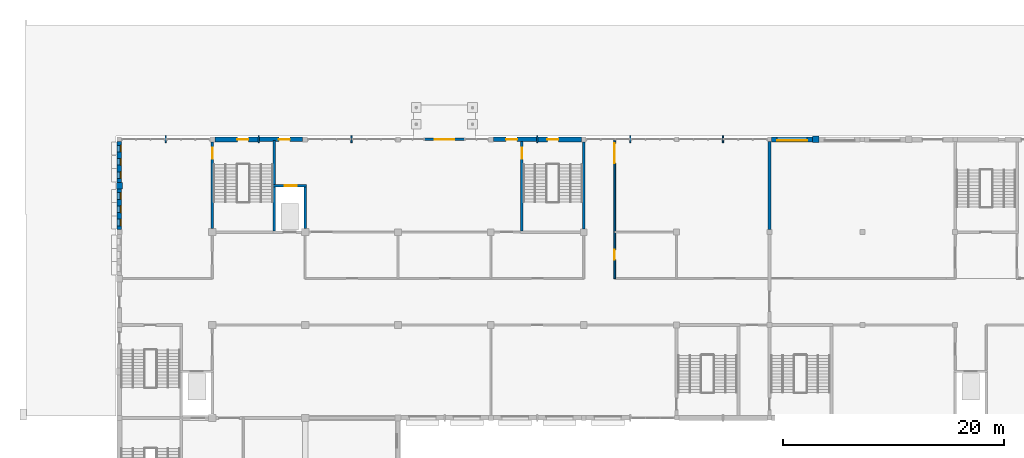
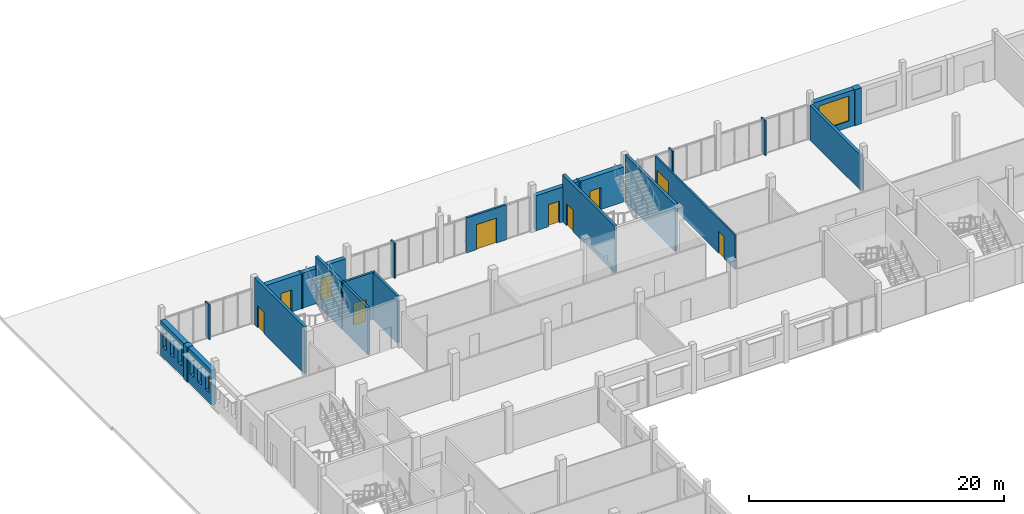
# One storey, part 89 of 101: 25 walls, 10 doors, 7 windows, 17 openings.
"""IFC4 building model written with IfcOpenShell, lengths in metres."""

import ifcopenshell
import ifcopenshell.guid

model = None  # the IFC model being written
_history = None  # IfcOwnerHistory: only IFC2X3 demands one
_inside = {}  # id of a spatial element -> (the spatial element, [elements in it])
_under = {}  # id of a project, library or spatial element -> (it, [spatial elements below it])
_declared = {}  # id of a project -> (the project, [libraries it declares])
_typed = {}  # id of a type object -> (the type object, [elements of that type])
_made_of = {}  # id of a material, layer set ... -> (it, [elements and type objects made of it])


def new_model(schema):
    """Start an empty IFC model of exactly this schema.

    Asked for "IFC4X3", IfcOpenShell would pick the latest addendum, in which some entities
    have other attributes; the version numbers below select the first issue.
    IFC2X3 requires an IfcOwnerHistory on every rooted entity: one is made here for all.
    """
    global model, _history
    if schema == "IFC4X3":
        model = ifcopenshell.file(schema_version=(4, 3, 0, 0))
    else:
        model = ifcopenshell.file(schema=schema)
    _inside.clear()
    _under.clear()
    _declared.clear()
    _typed.clear()
    _made_of.clear()
    _history = None
    if model.schema == "IFC2X3":
        org = make("IfcOrganization", Name="unknown")
        user = make(
            "IfcPersonAndOrganization",
            ThePerson=make("IfcPerson", FamilyName="unknown"),
            TheOrganization=org,
        )
        app = make(
            "IfcApplication",
            ApplicationDeveloper=org,
            Version="unknown",
            ApplicationFullName="unknown",
            ApplicationIdentifier="unknown",
        )
        _history = make(
            "IfcOwnerHistory",
            OwningUser=user,
            OwningApplication=app,
            ChangeAction="ADDED",
            CreationDate=0,
        )
    return model


def make(cls, **values):
    """One entity of the class cls with the attributes given. An attribute that is None is left unset."""
    return model.create_entity(
        cls, **{name: value for name, value in values.items() if value is not None}
    )


def rooted(cls, **values):
    """An entity with a GlobalId (a new one), such as an element, a storey or a relation."""
    return make(cls, GlobalId=ifcopenshell.guid.new(), OwnerHistory=_history, **values)


def si_unit(unit_type, name, prefix=None):
    """IfcSIUnit, for example si_unit("LENGTHUNIT", "METRE", prefix="MILLI")."""
    return make("IfcSIUnit", UnitType=unit_type, Prefix=prefix, Name=name)


def assignment(units):
    """IfcUnitAssignment: the units of a project."""
    return None if units is None else make("IfcUnitAssignment", Units=units)


def point(xyz):
    """IfcCartesianPoint."""
    return None if xyz is None else make("IfcCartesianPoint", Coordinates=xyz)


def direction(xyz):
    """IfcDirection."""
    return None if xyz is None else make("IfcDirection", DirectionRatios=xyz)


def frame(location, z_axis=None, x_axis=None):
    """IfcAxis2Placement3D, a coordinate frame: its origin and axes. An axis left out is left unset."""
    return make(
        "IfcAxis2Placement3D",
        Location=point(location),
        Axis=direction(z_axis),
        RefDirection=direction(x_axis),
    )


def frame_2d(location, x_axis=None):
    """IfcAxis2Placement2D, a coordinate frame in the plane: its origin and x axis."""
    return make(
        "IfcAxis2Placement2D", Location=point(location), RefDirection=direction(x_axis)
    )


def origin():
    """The frame at (0, 0, 0) with its axes left unset."""
    return frame((0.0, 0.0, 0.0))


def place(relative_to, where):
    """IfcLocalPlacement: puts the frame where relative to a parent placement (None: the world)."""
    return make(
        "IfcLocalPlacement", PlacementRelTo=relative_to, RelativePlacement=where
    )


def context(
    kind, dimensions, precision=None, world=None, true_north=None, identifier=None
):
    """IfcGeometricRepresentationContext, for example the 3D "Model" context."""
    return make(
        "IfcGeometricRepresentationContext",
        ContextIdentifier=identifier,
        ContextType=kind,
        CoordinateSpaceDimension=dimensions,
        Precision=precision,
        WorldCoordinateSystem=world,
        TrueNorth=true_north,
    )


def subcontext(parent, identifier, kind, view, scale=None):
    """IfcGeometricRepresentationSubContext, for example "Body" below "Model"."""
    return make(
        "IfcGeometricRepresentationSubContext",
        ContextIdentifier=identifier,
        ContextType=kind,
        ParentContext=parent,
        TargetScale=scale,
        TargetView=view,
    )


def project(units=None, contexts=None):
    """IfcProject with its units and contexts."""
    return rooted(
        "IfcProject",
        Name="project",
        RepresentationContexts=contexts,
        UnitsInContext=assignment(units),
    )


def spatial(cls, under=None, at=None, **own):
    """A site, building, storey or space (cls), placed at a placement, below another one or the project."""
    s = rooted(cls, ObjectPlacement=at, **own)
    if under is not None:
        _under.setdefault(under.id(), (under, []))[1].append(s)
    return s


def profile(cls, at=None, kind="AREA", **sizes):
    """A parametric profile (cls). Its sizes go by their IFC names, for example OverallWidth=200.0."""
    return make(cls, ProfileType=kind, Position=at, **sizes)


def rectangle(**sizes):
    """IfcRectangleProfileDef."""
    return profile("IfcRectangleProfileDef", **sizes)


def extrude(swept, where, along, depth):
    """IfcExtrudedAreaSolid: the profile swept, set in the frame where, extruded along a direction by depth."""
    return make(
        "IfcExtrudedAreaSolid",
        SweptArea=swept,
        Position=where,
        ExtrudedDirection=direction(along),
        Depth=depth,
    )


def shape(context_of_items, identifier, shape_type, items):
    """IfcShapeRepresentation: the items that make up one representation, for example the "Body"."""
    return make(
        "IfcShapeRepresentation",
        ContextOfItems=context_of_items,
        RepresentationIdentifier=identifier,
        RepresentationType=shape_type,
        Items=items,
    )


def material(Name=None, Category=None):
    """IfcMaterial."""
    return make("IfcMaterial", Name=Name, Category=Category)


def layer(
    of_material, thickness, ventilated=None, Name=None, Category=None, Priority=None
):
    """IfcMaterialLayer: one layer of a wall or slab, of a material (None: an air gap)."""
    return make(
        "IfcMaterialLayer",
        Material=of_material,
        LayerThickness=thickness,
        IsVentilated=ventilated,
        Name=Name,
        Category=Category,
        Priority=Priority,
    )


def layer_set(layers, Name=None):
    """IfcMaterialLayerSet."""
    return make("IfcMaterialLayerSet", MaterialLayers=layers, LayerSetName=Name)


def made_of(thing, what):
    """Note that an element or type object is made of a material, layer set ...; save() writes the relation."""
    if what is not None:
        _made_of.setdefault(what.id(), (what, []))[1].append(thing)
    return thing


def type_object(cls, material=None, **own):
    """A type object (cls), such as IfcWallType, which elements share."""
    return made_of(rooted(cls, **own), material)


def element(
    cls,
    number,
    at=None,
    inside=None,
    cuts=None,
    type_object=None,
    material=None,
    context=None,
    identifier="Body",
    shape_type=None,
    held_by="IfcProductDefinitionShape",
    body=None,
    shapes=None,
    **own,
):
    """One element of the class cls, such as IfcWall. Its Tag is "e" and its number.

    at: its placement. inside: the storey or other place that contains it. cuts: it is an
    opening in that element (IfcRelVoidsElement). A single representation is given by context,
    identifier, shape_type and body (its items); several are given by shapes. held_by: the class
    of the entity that holds the representations. save() writes the other relations.
    """
    e = rooted(cls, Tag="e%d" % number, ObjectPlacement=at, **own)
    if body is not None:
        shapes = [shape(context, identifier, shape_type, body)]
    if shapes is not None:
        e.Representation = make(held_by, Representations=shapes)
    if inside is not None:
        _inside.setdefault(inside.id(), (inside, []))[1].append(e)
    if cuts is not None:
        rooted(
            "IfcRelVoidsElement", RelatingBuildingElement=cuts, RelatedOpeningElement=e
        )
    if type_object is not None:
        _typed.setdefault(type_object.id(), (type_object, []))[1].append(e)
    return made_of(e, material)


def fill(opening, filler):
    """IfcRelFillsElement: the door or window that sits in an opening."""
    return rooted(
        "IfcRelFillsElement",
        RelatingOpeningElement=opening,
        RelatedBuildingElement=filler,
    )


def aggregate(whole, parts):
    """IfcRelAggregates: a whole, such as a stair, and the parts it consists of."""
    return rooted("IfcRelAggregates", RelatingObject=whole, RelatedObjects=parts)


def save(model, path):
    """Write the relations noted so far, then the file.

    IfcRelAggregates (storeys below a building ...), IfcRelContainedInSpatialStructure (elements
    in a storey), IfcRelDefinesByType, IfcRelAssociatesMaterial and IfcRelDeclares: one each for
    every whole, place, type object, material and project.
    """
    for whole, parts in _under.values():
        aggregate(whole, parts)
    for where, things in _inside.values():
        rooted(
            "IfcRelContainedInSpatialStructure",
            RelatedElements=things,
            RelatingStructure=where,
        )
    for kind, things in _typed.values():
        rooted("IfcRelDefinesByType", RelatedObjects=things, RelatingType=kind)
    for what, things in _made_of.values():
        rooted("IfcRelAssociatesMaterial", RelatedObjects=things, RelatingMaterial=what)
    for by, libraries in _declared.values():
        rooted("IfcRelDeclares", RelatingContext=by, RelatedDefinitions=libraries)
    model.write(path)


model = new_model("IFC4")

# Units and contexts
model_context = context("Model", 3, precision=1e-05, world=origin(), true_north=direction((0.0, 1.0)))
body_context = subcontext(model_context, "Body", "Model", "MODEL_VIEW")
ifc_project = project(units=[si_unit("LENGTHUNIT", "METRE"), si_unit("AREAUNIT", "SQUARE_METRE"), si_unit("VOLUMEUNIT", "CUBIC_METRE"), si_unit("PLANEANGLEUNIT", "RADIAN"), si_unit("MASSUNIT", "GRAM", prefix="KILO")], contexts=[model_context])

# Site, building, storey
site_placement = place(None, origin())
site = spatial("IfcSite", under=ifc_project, at=site_placement, CompositionType="ELEMENT")
building_placement = place(site_placement, origin())
building = spatial("IfcBuilding", under=site, at=building_placement, Name="Fescue Hill Polytechnic", CompositionType="ELEMENT")
storey_placement = place(building_placement, frame((0.0, 0.0, 9.0)))
storey = spatial("IfcBuildingStorey", under=building, at=storey_placement, Name="L02", CompositionType="ELEMENT", Elevation=9.0)

# Walls
ifc_material_1 = material(Name="Clay brick masonry", Category="masonry")
ifc_layer_1 = layer(ifc_material_1, 0.550048828125)
ifc_layer_set_1 = layer_set([ifc_layer_1], Name="Clay brick masonry")
wall_type_1 = type_object("IfcWallType", Name="Brick pier 600x550", PredefinedType="SOLIDWALL", material=ifc_layer_set_1)
wall_1_placement = place(storey_placement, frame((0.0, 130.512451171875, 0.0), z_axis=(0.0, 0.0, 1.0), x_axis=(0.0, -1.0, 0.0)))
element("IfcWall", 1, at=wall_1_placement, inside=storey, type_object=wall_type_1, Name="PR-L02-V5-7", PredefinedType="SOLIDWALL", context=body_context, shape_type="SweptSolid", body=[
    extrude(rectangle(XDim=0.599853515625, YDim=0.550048828125, at=frame_2d((0.2998046875, 0.0))), origin(), (0.0, 0.0, 1.0), 3.35009765625),
])
wall_2_placement = place(storey_placement, frame((63.300048828125, 134.39990234375, 0.0), z_axis=(0.0, 0.0, 1.0), x_axis=(-1.0, 0.0, 0.0)))
element("IfcWall", 2, at=wall_2_placement, inside=storey, type_object=wall_type_1, Name="PR-L02-V4b-10", PredefinedType="SOLIDWALL", context=body_context, shape_type="SweptSolid", body=[
    extrude(rectangle(XDim=0.60009765625, YDim=0.550048828125, at=frame_2d((0.300048828125, 0.0))), origin(), (0.0, 0.0, 1.0), 3.449951171875),
])

# Wall, opening, door
ifc_material_2 = material(Name="Concrete 40 MPa", Category="concrete")
ifc_layer_2 = layer(ifc_material_2, 0.25)
ifc_layer_set_2 = layer_set([ifc_layer_2], Name="Concrete 40 MPa")
wall_type_2 = type_object("IfcWallType", Name="Core wall 250", PredefinedType="SHEAR", material=ifc_layer_set_2)
wall_3_placement = place(storey_placement, frame((36.39990234375, 126.125, 0.0), z_axis=(0.0, 0.0, 1.0), x_axis=(0.0, 1.0, 0.0)))
wall_3 = element("IfcWall", 3, at=wall_3_placement, inside=storey, type_object=wall_type_2, Name="CW-L02-ST-V5-2-31", PredefinedType="SHEAR", context=body_context, shape_type="SweptSolid", body=[
    extrude(rectangle(XDim=8.14990234375, YDim=0.25, at=frame_2d((4.074951171875, 0.0))), origin(), (0.0, 0.0, 1.0), 4.5),
])
opening_1_placement = place(wall_3_placement, frame((6.52490234375, 0.0, 0.0)))
opening_1 = element("IfcOpeningElement", 4, at=opening_1_placement, cuts=wall_3, Name="Opening D2090", PredefinedType="OPENING", context=body_context, shape_type="SweptSolid", body=[
    extrude(rectangle(XDim=1.0, YDim=2.10009765625, at=frame_2d((0.5, 1.050048828125))), frame((0.0, 0.135009765625, 0.0), z_axis=(0.0, -1.0, 0.0), x_axis=(1.0, 0.0, 0.0)), (0.0, 0.0, 1.0), 0.27001953125),
])
ifc_material_3 = material(Name="Steel fire door", Category="steel")
door_type_1 = type_object("IfcDoorType", Name="Door single swing 1000x2100 stair fire rated", OperationType="NOTDEFINED", PredefinedType="DOOR", material=ifc_material_3)
door_1_placement = place(opening_1_placement, origin())
door_1 = element("IfcDoor", 5, at=door_1_placement, inside=storey, type_object=door_type_1, Name="L02 ST-V5-2 stair door", OperationType="SINGLE_SWING_LEFT", OverallHeight=2.10009765625, OverallWidth=1.0, PredefinedType="DOOR", context=body_context, shape_type="SweptSolid", body=[
    extrude(rectangle(XDim=1.0, YDim=2.10009765625, at=frame_2d((0.5, 1.050048828125))), frame((0.0, 0.02490234375, 0.0), z_axis=(0.0, -1.0, 0.0), x_axis=(1.0, 0.0, 0.0)), (0.0, 0.0, 1.0), 0.050048828125),
])
fill(opening_1, door_1)

# Wall
wall_4_placement = place(storey_placement, frame((42.0, 126.300048828125, 0.0), z_axis=(0.0, 0.0, 1.0), x_axis=(0.0, 1.0, 0.0)))
element("IfcWall", 6, at=wall_4_placement, inside=storey, type_object=wall_type_2, Name="CW-L02-ST-V5-2-41", PredefinedType="SHEAR", context=body_context, shape_type="SweptSolid", body=[
    extrude(rectangle(XDim=7.875, YDim=0.25, at=frame_2d((3.9375, 0.0))), origin(), (0.0, 0.0, 1.0), 4.5),
])

# Wall, opening, door
wall_5_placement = place(storey_placement, frame((8.39990234375, 126.324951171875, 0.0), z_axis=(0.0, 0.0, 1.0), x_axis=(0.0, 1.0, 0.0)))
wall_5 = element("IfcWall", 7, at=wall_5_placement, inside=storey, type_object=wall_type_2, Name="CW-L02-ST-V5-3-31", PredefinedType="SHEAR", context=body_context, shape_type="SweptSolid", body=[
    extrude(rectangle(XDim=7.85009765625, YDim=0.25, at=frame_2d((3.925048828125, 0.0))), origin(), (0.0, 0.0, 1.0), 4.5),
])
opening_2_placement = place(wall_5_placement, frame((6.324951171875, 0.0, 0.0)))
opening_2 = element("IfcOpeningElement", 8, at=opening_2_placement, cuts=wall_5, Name="Opening D2092", PredefinedType="OPENING", context=body_context, shape_type="SweptSolid", body=[
    extrude(rectangle(XDim=1.0, YDim=2.10009765625, at=frame_2d((0.5, 1.050048828125))), frame((0.0, 0.135009765625, 0.0), z_axis=(0.0, -1.0, 0.0), x_axis=(1.0, 0.0, 0.0)), (0.0, 0.0, 1.0), 0.27001953125),
])
door_2_placement = place(opening_2_placement, origin())
door_2 = element("IfcDoor", 9, at=door_2_placement, inside=storey, type_object=door_type_1, Name="L02 ST-V5-3 stair door", OperationType="SINGLE_SWING_RIGHT", OverallHeight=2.10009765625, OverallWidth=1.0, PredefinedType="DOOR", context=body_context, shape_type="SweptSolid", body=[
    extrude(rectangle(XDim=1.0, YDim=2.10009765625, at=frame_2d((0.5, 1.050048828125))), frame((0.0, 0.02490234375, 0.0), z_axis=(0.0, -1.0, 0.0), x_axis=(1.0, 0.0, 0.0)), (0.0, 0.0, 1.0), 0.050048828125),
])
fill(opening_2, door_2)

# Wall
wall_6_placement = place(storey_placement, frame((14.0, 130.2099609375, 0.0), z_axis=(0.0, 0.0, 1.0), x_axis=(0.0, 1.0, 0.0)))
element("IfcWall", 10, at=wall_6_placement, inside=storey, type_object=wall_type_2, Name="CW-L02-ST-V5-3-41", PredefinedType="SHEAR", context=body_context, shape_type="SweptSolid", body=[
    extrude(rectangle(XDim=4.06494140625, YDim=0.25, at=frame_2d((2.032470703125, 0.0))), origin(), (0.0, 0.0, 1.0), 4.5),
])

# Wall, openings, doors
ifc_material_4 = material(Name="Gypsum board partition")
ifc_layer_3 = layer(ifc_material_4, 0.14990234375)
ifc_layer_set_3 = layer_set([ifc_layer_3], Name="Gypsum board partition")
wall_type_3 = type_object("IfcWallType", Name="Corridor wall 150 EI 45", PredefinedType="PARTITIONING", material=ifc_layer_set_3)
wall_7_placement = place(storey_placement, frame((44.800048828125, 121.800048828125, 0.0), z_axis=(0.0, 0.0, 1.0), x_axis=(0.0, 1.0, 0.0)))
wall_7 = element("IfcWall", 11, at=wall_7_placement, inside=storey, type_object=wall_type_3, Name="IW-L02-097", PredefinedType="PARTITIONING", context=body_context, shape_type="SweptSolid", body=[
    extrude(rectangle(XDim=12.599853515625, YDim=0.14990234375, at=frame_2d((6.2998046875, 0.0))), origin(), (0.0, 0.0, 1.0), 3.27001953125),
])
opening_3_placement = place(wall_7_placement, frame((1.699951171875, 0.0, 0.0)))
opening_3 = element("IfcOpeningElement", 12, at=opening_3_placement, cuts=wall_7, Name="Opening D2057", PredefinedType="OPENING", context=body_context, shape_type="SweptSolid", body=[
    extrude(rectangle(XDim=0.89990234375, YDim=2.10009765625, at=frame_2d((0.449951171875, 1.050048828125))), frame((0.0, 0.0849609375, 0.0), z_axis=(0.0, -1.0, 0.0), x_axis=(1.0, 0.0, 0.0)), (0.0, 0.0, 1.0), 0.169921875),
])
opening_4_placement = place(wall_7_placement, frame((10.449951171875, 0.0, 0.0)))
opening_4 = element("IfcOpeningElement", 13, at=opening_4_placement, cuts=wall_7, Name="Opening D2062", PredefinedType="OPENING", context=body_context, shape_type="SweptSolid", body=[
    extrude(rectangle(XDim=1.800048828125, YDim=2.10009765625, at=frame_2d((0.89990234375, 1.050048828125))), frame((0.0, 0.0849609375, 0.0), z_axis=(0.0, -1.0, 0.0), x_axis=(1.0, 0.0, 0.0)), (0.0, 0.0, 1.0), 0.169921875),
])
ifc_material_5 = material(Name="Timber", Category="wood")
door_type_2 = type_object("IfcDoorType", Name="Door double swing 1800x2100 FD30S", OperationType="DOUBLE_DOOR_SINGLE_SWING", PredefinedType="DOOR", material=ifc_material_5)
door_3_placement = place(opening_4_placement, origin())
door_3 = element("IfcDoor", 14, at=door_3_placement, inside=storey, type_object=door_type_2, Name="Door D2062", OperationType="DOUBLE_DOOR_SINGLE_SWING", OverallHeight=2.10009765625, OverallWidth=1.800048828125, PredefinedType="DOOR", context=body_context, shape_type="SweptSolid", body=[
    extrude(rectangle(XDim=1.800048828125, YDim=2.10009765625, at=frame_2d((0.89990234375, 1.050048828125))), frame((0.0, 0.02490234375, 0.0), z_axis=(0.0, -1.0, 0.0), x_axis=(1.0, 0.0, 0.0)), (0.0, 0.0, 1.0), 0.050048828125),
])
fill(opening_4, door_3)
door_type_3 = type_object("IfcDoorType", Name="Door single swing 900x2100 FD30S", OperationType="SINGLE_SWING_LEFT", PredefinedType="DOOR", material=ifc_material_5)
door_4_placement = place(opening_3_placement, origin())
door_4 = element("IfcDoor", 15, at=door_4_placement, inside=storey, type_object=door_type_3, Name="Door D2057", OperationType="SINGLE_SWING_LEFT", OverallHeight=2.10009765625, OverallWidth=0.89990234375, PredefinedType="DOOR", context=body_context, shape_type="SweptSolid", body=[
    extrude(rectangle(XDim=0.89990234375, YDim=2.10009765625, at=frame_2d((0.449951171875, 1.050048828125))), frame((0.0, 0.02490234375, 0.0), z_axis=(0.0, -1.0, 0.0), x_axis=(1.0, 0.0, 0.0)), (0.0, 0.0, 1.0), 0.050048828125),
])
fill(opening_3, door_4)

# Wall, opening, door
ifc_material_6 = material(Name="Glass", Category="glass")
ifc_layer_4 = layer(ifc_material_6, 0.199951171875)
ifc_layer_set_4 = layer_set([ifc_layer_4], Name="Glass")
wall_type_4 = type_object("IfcWallType", Name="Entrance frame wall metal and glass 200", PredefinedType="SOLIDWALL", material=ifc_layer_set_4)
wall_8_placement = place(storey_placement, frame((31.199951171875, 134.39990234375, 0.0), z_axis=(0.0, 0.0, 1.0), x_axis=(-1.0, 0.0, 0.0)))
wall_8 = element("IfcWall", 16, at=wall_8_placement, inside=storey, type_object=wall_type_4, Name="EW-L02-V5-4", PredefinedType="SOLIDWALL", context=body_context, shape_type="SweptSolid", body=[
    extrude(rectangle(XDim=3.599853515625, YDim=0.199951171875, at=frame_2d((1.7998046875, 0.0))), origin(), (0.0, 0.0, 1.0), 3.35009765625),
])
opening_5_placement = place(wall_8_placement, frame((0.89990234375, 0.0, 0.0)))
opening_5 = element("IfcOpeningElement", 17, at=opening_5_placement, cuts=wall_8, Name="Opening D2002", PredefinedType="OPENING", context=body_context, shape_type="SweptSolid", body=[
    extrude(rectangle(XDim=1.800048828125, YDim=2.39990234375, at=frame_2d((0.89990234375, 1.199951171875))), frame((0.0, 0.10986328125, 0.0), z_axis=(0.0, -1.0, 0.0), x_axis=(1.0, 0.0, 0.0)), (0.0, 0.0, 1.0), 0.219970703125),
])
ifc_material_7 = material(Name="Aluminium and glass", Category="aluminium")
door_type_4 = type_object("IfcDoorType", Name="Door entrance glazed double 1800x2400", OperationType="DOUBLE_DOOR_SINGLE_SWING", PredefinedType="DOOR", material=ifc_material_7)
door_5_placement = place(opening_5_placement, origin())
door_5 = element("IfcDoor", 18, at=door_5_placement, inside=storey, type_object=door_type_4, Name="Door D2002", OperationType="SINGLE_SWING_LEFT", OverallHeight=2.39990234375, OverallWidth=1.800048828125, PredefinedType="DOOR", context=body_context, shape_type="SweptSolid", body=[
    extrude(rectangle(XDim=1.800048828125, YDim=2.39990234375, at=frame_2d((0.89990234375, 1.199951171875))), frame((0.0, 0.02490234375, 0.0), z_axis=(0.0, -1.0, 0.0), x_axis=(1.0, 0.0, 0.0)), (0.0, 0.0, 1.0), 0.050048828125),
])
fill(opening_5, door_5)

# Wall, opening, window
ifc_layer_5 = layer(ifc_material_2, 0.449951171875)
ifc_layer_set_5 = layer_set([ifc_layer_5], Name="Concrete 40 MPa")
wall_type_5 = type_object("IfcWallType", Name="Exterior wall board-marked concrete 450", PredefinedType="SOLIDWALL", material=ifc_layer_set_5)
wall_9_placement = place(storey_placement, frame((62.699951171875, 134.39990234375, 0.0), z_axis=(0.0, 0.0, 1.0), x_axis=(-1.0, 0.0, 0.0)))
wall_9 = element("IfcWall", 19, at=wall_9_placement, inside=storey, type_object=wall_type_5, Name="EW-L02-V4b-20", PredefinedType="SOLIDWALL", context=body_context, shape_type="SweptSolid", body=[
    extrude(rectangle(XDim=3.699951171875, YDim=0.449951171875, at=frame_2d((1.85009765625, 0.0))), origin(), (0.0, 0.0, 1.0), 3.449951171875),
])
opening_6_placement = place(wall_9_placement, frame((0.5, 0.0, 0.60009765625)))
opening_6 = element("IfcOpeningElement", 20, at=opening_6_placement, cuts=wall_9, Name="Opening W16R", PredefinedType="OPENING", context=body_context, shape_type="SweptSolid", body=[
    extrude(rectangle(XDim=2.699951171875, YDim=2.39990234375, at=frame_2d((1.35009765625, 1.199951171875))), frame((0.0, 0.23486328125, 0.0), z_axis=(0.0, -1.0, 0.0), x_axis=(1.0, 0.0, 0.0)), (0.0, 0.0, 1.0), 0.469970703125),
])
ifc_material_8 = material(Name="Powder-coated aluminium and glass", Category="aluminium")
window_type_1 = type_object("IfcWindowType", Name="Window studio north-light 2700x2400", PartitioningType="TRIPLE_PANEL_VERTICAL", PredefinedType="WINDOW", material=ifc_material_8)
window_1_placement = place(opening_6_placement, origin())
window_1 = element("IfcWindow", 21, at=window_1_placement, inside=storey, type_object=window_type_1, Name="WN-L02-V4b-25", OverallHeight=2.39990234375, OverallWidth=2.699951171875, PartitioningType="SINGLE_PANEL", PredefinedType="WINDOW", context=body_context, shape_type="SweptSolid", body=[
    extrude(rectangle(XDim=2.699951171875, YDim=2.39990234375, at=frame_2d((1.35009765625, 1.199951171875))), frame((0.0, 0.135009765625, 0.0), z_axis=(0.0, -1.0, 0.0), x_axis=(1.0, 0.0, 0.0)), (0.0, 0.0, 1.0), 0.06005859375),
])
fill(opening_6, window_1)

# Wall, opening, door
ifc_layer_6 = layer(ifc_material_2, 0.449951171875)
ifc_layer_set_6 = layer_set([ifc_layer_6], Name="Concrete 40 MPa")
wall_type_6 = type_object("IfcWallType", Name="Exterior wall board-marked concrete 450 load-bearing", PredefinedType="SOLIDWALL", material=ifc_layer_set_6)
wall_10_placement = place(storey_placement, frame((41.77490234375, 134.39990234375, 0.0), z_axis=(0.0, 0.0, 1.0), x_axis=(-1.0, 0.0, 0.0)))
wall_10 = element("IfcWall", 22, at=wall_10_placement, inside=storey, type_object=wall_type_6, Name="EW-L02-V5-2", PredefinedType="SOLIDWALL", context=body_context, shape_type="SweptSolid", body=[
    extrude(rectangle(XDim=3.914794921875, YDim=0.449951171875, at=frame_2d((1.95751953125, 0.0))), origin(), (0.0, 0.0, 1.0), 3.35009765625),
])
opening_7_placement = place(wall_10_placement, frame((3.06494140625, 0.0, 0.0), z_axis=(0.0, 0.0, 1.0), x_axis=(-1.0, 0.0, 0.0)))
opening_7 = element("IfcOpeningElement", 23, at=opening_7_placement, cuts=wall_10, Name="Opening D2091", PredefinedType="OPENING", context=body_context, shape_type="SweptSolid", body=[
    extrude(rectangle(XDim=1.0, YDim=2.10009765625, at=frame_2d((0.5, 1.050048828125))), frame((0.0, 0.23486328125, 0.0), z_axis=(0.0, -1.0, 0.0), x_axis=(1.0, 0.0, 0.0)), (0.0, 0.0, 1.0), 0.469970703125),
])
ifc_material_9 = material(Name="Hollow metal")
door_type_5 = type_object("IfcDoorType", Name="Door exit single 1000x2100 fire rated", OperationType="SINGLE_SWING_LEFT", PredefinedType="DOOR", material=ifc_material_9)
door_6_placement = place(opening_7_placement, origin())
door_6 = element("IfcDoor", 24, at=door_6_placement, inside=storey, type_object=door_type_5, Name="Door D2091", OperationType="SINGLE_SWING_LEFT", OverallHeight=2.10009765625, OverallWidth=1.0, PredefinedType="DOOR", context=body_context, shape_type="SweptSolid", body=[
    extrude(rectangle(XDim=1.0, YDim=2.10009765625, at=frame_2d((0.5, 1.050048828125))), frame((0.0, 0.02490234375, 0.0), z_axis=(0.0, -1.0, 0.0), x_axis=(1.0, 0.0, 0.0)), (0.0, 0.0, 1.0), 0.050048828125),
])
fill(opening_7, door_6)

wall_11_placement = place(storey_placement, frame((12.5400390625, 134.39990234375, 0.0), z_axis=(0.0, 0.0, 1.0), x_axis=(-1.0, 0.0, 0.0)))
wall_11 = element("IfcWall", 25, at=wall_11_placement, inside=storey, type_object=wall_type_6, Name="EW-L02-V5-6", PredefinedType="SOLIDWALL", context=body_context, shape_type="SweptSolid", body=[
    extrude(rectangle(XDim=3.9150390625, YDim=0.449951171875, at=frame_2d((1.95751953125, 0.0))), origin(), (0.0, 0.0, 1.0), 3.35009765625),
])
opening_8_placement = place(wall_11_placement, frame((1.864990234375, 0.0, 0.0), z_axis=(0.0, 0.0, 1.0), x_axis=(-1.0, 0.0, 0.0)))
opening_8 = element("IfcOpeningElement", 26, at=opening_8_placement, cuts=wall_11, Name="Opening D2093", PredefinedType="OPENING", context=body_context, shape_type="SweptSolid", body=[
    extrude(rectangle(XDim=1.0, YDim=2.10009765625, at=frame_2d((0.5, 1.050048828125))), frame((0.0, 0.23486328125, 0.0), z_axis=(0.0, -1.0, 0.0), x_axis=(1.0, 0.0, 0.0)), (0.0, 0.0, 1.0), 0.469970703125),
])
door_7_placement = place(opening_8_placement, origin())
door_7 = element("IfcDoor", 27, at=door_7_placement, inside=storey, type_object=door_type_5, Name="Door D2093", OperationType="SINGLE_SWING_LEFT", OverallHeight=2.10009765625, OverallWidth=1.0, PredefinedType="DOOR", context=body_context, shape_type="SweptSolid", body=[
    extrude(rectangle(XDim=1.0, YDim=2.10009765625, at=frame_2d((0.5, 1.050048828125))), frame((0.0, 0.02490234375, 0.0), z_axis=(0.0, -1.0, 0.0), x_axis=(1.0, 0.0, 0.0)), (0.0, 0.0, 1.0), 0.050048828125),
])
fill(opening_8, door_7)

# Wall, openings, windows
ifc_layer_7 = layer(ifc_material_1, 0.419921875)
ifc_layer_set_7 = layer_set([ifc_layer_7], Name="Clay brick masonry")
wall_type_7 = type_object("IfcWallType", Name="Exterior wall buff-red brick cavity 420", PredefinedType="SOLIDWALL", material=ifc_layer_set_7)
wall_12_placement = place(storey_placement, frame((0.0, 134.199951171875, 0.0), z_axis=(0.0, 0.0, 1.0), x_axis=(0.0, -1.0, 0.0)))
wall_12 = element("IfcWall", 28, at=wall_12_placement, inside=storey, type_object=wall_type_7, Name="EW-L02-V5-8", PredefinedType="SOLIDWALL", context=body_context, shape_type="SweptSolid", body=[
    extrude(rectangle(XDim=3.6875, YDim=0.419921875, at=frame_2d((1.84375, 0.0))), origin(), (0.0, 0.0, 1.0), 3.35009765625),
])
opening_9_placement = place(wall_12_placement, frame((0.34375, 0.0, 1.0)))
opening_9 = element("IfcOpeningElement", 29, at=opening_9_placement, cuts=wall_12, Name="Opening W6R", PredefinedType="OPENING", context=body_context, shape_type="SweptSolid", body=[
    extrude(rectangle(XDim=0.60009765625, YDim=1.800048828125, at=frame_2d((0.300048828125, 0.89990234375))), frame((0.0, 0.219970703125, 0.0), z_axis=(0.0, -1.0, 0.0), x_axis=(1.0, 0.0, 0.0)), (0.0, 0.0, 1.0), 0.43994140625),
])
opening_10_placement = place(wall_12_placement, frame((1.543701171875, 0.0, 1.0)))
opening_10 = element("IfcOpeningElement", 30, at=opening_10_placement, cuts=wall_12, Name="Opening W6R", PredefinedType="OPENING", context=body_context, shape_type="SweptSolid", body=[
    extrude(rectangle(XDim=0.60009765625, YDim=1.800048828125, at=frame_2d((0.300048828125, 0.89990234375))), frame((0.0, 0.219970703125, 0.0), z_axis=(0.0, -1.0, 0.0), x_axis=(1.0, 0.0, 0.0)), (0.0, 0.0, 1.0), 0.43994140625),
])
opening_11_placement = place(wall_12_placement, frame((2.743896484375, 0.0, 1.0)))
opening_11 = element("IfcOpeningElement", 31, at=opening_11_placement, cuts=wall_12, Name="Opening W6R", PredefinedType="OPENING", context=body_context, shape_type="SweptSolid", body=[
    extrude(rectangle(XDim=0.60009765625, YDim=1.800048828125, at=frame_2d((0.300048828125, 0.89990234375))), frame((0.0, 0.219970703125, 0.0), z_axis=(0.0, -1.0, 0.0), x_axis=(1.0, 0.0, 0.0)), (0.0, 0.0, 1.0), 0.43994140625),
])
window_type_2 = type_object("IfcWindowType", Name="Window slot 600x1800", PartitioningType="SINGLE_PANEL", PredefinedType="WINDOW", material=ifc_material_8)
window_2_placement = place(opening_9_placement, origin())
window_2 = element("IfcWindow", 32, at=window_2_placement, inside=storey, type_object=window_type_2, Name="WN-L02-V5-1", OverallHeight=1.800048828125, OverallWidth=0.60009765625, PartitioningType="SINGLE_PANEL", PredefinedType="WINDOW", context=body_context, shape_type="SweptSolid", body=[
    extrude(rectangle(XDim=0.60009765625, YDim=1.800048828125, at=frame_2d((0.300048828125, 0.89990234375))), frame((0.0, 0.150146484375, 0.0), z_axis=(0.0, -1.0, 0.0), x_axis=(1.0, 0.0, 0.0)), (0.0, 0.0, 1.0), 0.06005859375),
])
fill(opening_9, window_2)
window_3_placement = place(opening_10_placement, origin())
window_3 = element("IfcWindow", 33, at=window_3_placement, inside=storey, type_object=window_type_2, Name="WN-L02-V5-2", OverallHeight=1.800048828125, OverallWidth=0.60009765625, PartitioningType="SINGLE_PANEL", PredefinedType="WINDOW", context=body_context, shape_type="SweptSolid", body=[
    extrude(rectangle(XDim=0.60009765625, YDim=1.800048828125, at=frame_2d((0.300048828125, 0.89990234375))), frame((0.0, 0.150146484375, 0.0), z_axis=(0.0, -1.0, 0.0), x_axis=(1.0, 0.0, 0.0)), (0.0, 0.0, 1.0), 0.06005859375),
])
fill(opening_10, window_3)
window_4_placement = place(opening_11_placement, origin())
window_4 = element("IfcWindow", 34, at=window_4_placement, inside=storey, type_object=window_type_2, Name="WN-L02-V5-3", OverallHeight=1.800048828125, OverallWidth=0.60009765625, PartitioningType="SINGLE_PANEL", PredefinedType="WINDOW", context=body_context, shape_type="SweptSolid", body=[
    extrude(rectangle(XDim=0.60009765625, YDim=1.800048828125, at=frame_2d((0.300048828125, 0.89990234375))), frame((0.0, 0.150146484375, 0.0), z_axis=(0.0, -1.0, 0.0), x_axis=(1.0, 0.0, 0.0)), (0.0, 0.0, 1.0), 0.06005859375),
])
fill(opening_11, window_4)

wall_13_placement = place(storey_placement, frame((0.0, 129.91259765625, 0.0), z_axis=(0.0, 0.0, 1.0), x_axis=(0.0, -1.0, 0.0)))
wall_13 = element("IfcWall", 35, at=wall_13_placement, inside=storey, type_object=wall_type_7, Name="EW-L02-V5-9", PredefinedType="SOLIDWALL", context=body_context, shape_type="SweptSolid", body=[
    extrude(rectangle(XDim=3.6875, YDim=0.419921875, at=frame_2d((1.84375, 0.0))), origin(), (0.0, 0.0, 1.0), 3.35009765625),
])
opening_12_placement = place(wall_13_placement, frame((0.34375, 0.0, 1.0)))
opening_12 = element("IfcOpeningElement", 36, at=opening_12_placement, cuts=wall_13, Name="Opening W6R", PredefinedType="OPENING", context=body_context, shape_type="SweptSolid", body=[
    extrude(rectangle(XDim=0.60009765625, YDim=1.800048828125, at=frame_2d((0.300048828125, 0.89990234375))), frame((0.0, 0.219970703125, 0.0), z_axis=(0.0, -1.0, 0.0), x_axis=(1.0, 0.0, 0.0)), (0.0, 0.0, 1.0), 0.43994140625),
])
opening_13_placement = place(wall_13_placement, frame((1.543701171875, 0.0, 1.0)))
opening_13 = element("IfcOpeningElement", 37, at=opening_13_placement, cuts=wall_13, Name="Opening W6R", PredefinedType="OPENING", context=body_context, shape_type="SweptSolid", body=[
    extrude(rectangle(XDim=0.60009765625, YDim=1.800048828125, at=frame_2d((0.300048828125, 0.89990234375))), frame((0.0, 0.219970703125, 0.0), z_axis=(0.0, -1.0, 0.0), x_axis=(1.0, 0.0, 0.0)), (0.0, 0.0, 1.0), 0.43994140625),
])
opening_14_placement = place(wall_13_placement, frame((2.743896484375, 0.0, 1.0)))
opening_14 = element("IfcOpeningElement", 38, at=opening_14_placement, cuts=wall_13, Name="Opening W6R", PredefinedType="OPENING", context=body_context, shape_type="SweptSolid", body=[
    extrude(rectangle(XDim=0.60009765625, YDim=1.800048828125, at=frame_2d((0.300048828125, 0.89990234375))), frame((0.0, 0.219970703125, 0.0), z_axis=(0.0, -1.0, 0.0), x_axis=(1.0, 0.0, 0.0)), (0.0, 0.0, 1.0), 0.43994140625),
])
window_5_placement = place(opening_12_placement, origin())
window_5 = element("IfcWindow", 39, at=window_5_placement, inside=storey, type_object=window_type_2, Name="WN-L02-V5-4", OverallHeight=1.800048828125, OverallWidth=0.60009765625, PartitioningType="SINGLE_PANEL", PredefinedType="WINDOW", context=body_context, shape_type="SweptSolid", body=[
    extrude(rectangle(XDim=0.60009765625, YDim=1.800048828125, at=frame_2d((0.300048828125, 0.89990234375))), frame((0.0, 0.150146484375, 0.0), z_axis=(0.0, -1.0, 0.0), x_axis=(1.0, 0.0, 0.0)), (0.0, 0.0, 1.0), 0.06005859375),
])
fill(opening_12, window_5)
window_6_placement = place(opening_13_placement, origin())
window_6 = element("IfcWindow", 40, at=window_6_placement, inside=storey, type_object=window_type_2, Name="WN-L02-V5-5", OverallHeight=1.800048828125, OverallWidth=0.60009765625, PartitioningType="SINGLE_PANEL", PredefinedType="WINDOW", context=body_context, shape_type="SweptSolid", body=[
    extrude(rectangle(XDim=0.60009765625, YDim=1.800048828125, at=frame_2d((0.300048828125, 0.89990234375))), frame((0.0, 0.150146484375, 0.0), z_axis=(0.0, -1.0, 0.0), x_axis=(1.0, 0.0, 0.0)), (0.0, 0.0, 1.0), 0.06005859375),
])
fill(opening_13, window_6)
window_7_placement = place(opening_14_placement, origin())
window_7 = element("IfcWindow", 41, at=window_7_placement, inside=storey, type_object=window_type_2, Name="WN-L02-V5-6", OverallHeight=1.800048828125, OverallWidth=0.60009765625, PartitioningType="SINGLE_PANEL", PredefinedType="WINDOW", context=body_context, shape_type="SweptSolid", body=[
    extrude(rectangle(XDim=0.60009765625, YDim=1.800048828125, at=frame_2d((0.300048828125, 0.89990234375))), frame((0.0, 0.150146484375, 0.0), z_axis=(0.0, -1.0, 0.0), x_axis=(1.0, 0.0, 0.0)), (0.0, 0.0, 1.0), 0.06005859375),
])
fill(opening_14, window_7)

# Wall, opening, door
ifc_layer_8 = layer(ifc_material_1, 0.39990234375)
ifc_layer_set_8 = layer_set([ifc_layer_8], Name="Clay brick masonry")
wall_type_8 = type_object("IfcWallType", Name="Exterior wall clinker brick cavity 400 load-bearing", PredefinedType="SOLIDWALL", material=ifc_layer_set_8)
wall_14_placement = place(storey_placement, frame((37.739990234375, 134.39990234375, 0.0), z_axis=(0.0, 0.0, 1.0), x_axis=(-1.0, 0.0, 0.0)))
wall_14 = element("IfcWall", 42, at=wall_14_placement, inside=storey, type_object=wall_type_8, Name="EW-L02-V5-3", PredefinedType="SOLIDWALL", context=body_context, shape_type="SweptSolid", body=[
    extrude(rectangle(XDim=3.9150390625, YDim=0.39990234375, at=frame_2d((1.95751953125, 0.0))), origin(), (0.0, 0.0, 1.0), 3.35009765625),
])
opening_15_placement = place(wall_14_placement, frame((1.757568359375, 0.0, 0.0)))
opening_15 = element("IfcOpeningElement", 43, at=opening_15_placement, cuts=wall_14, Name="Opening D2001", PredefinedType="OPENING", context=body_context, shape_type="SweptSolid", body=[
    extrude(rectangle(XDim=1.0, YDim=2.10009765625, at=frame_2d((0.5, 1.050048828125))), frame((0.0, 0.2099609375, 0.0), z_axis=(0.0, -1.0, 0.0), x_axis=(1.0, 0.0, 0.0)), (0.0, 0.0, 1.0), 0.419921875),
])
door_8_placement = place(opening_15_placement, origin())
door_8 = element("IfcDoor", 44, at=door_8_placement, inside=storey, type_object=door_type_5, Name="Door D2001", OperationType="SINGLE_SWING_LEFT", OverallHeight=2.10009765625, OverallWidth=1.0, PredefinedType="DOOR", context=body_context, shape_type="SweptSolid", body=[
    extrude(rectangle(XDim=1.0, YDim=2.10009765625, at=frame_2d((0.5, 1.050048828125))), frame((0.0, 0.02490234375, 0.0), z_axis=(0.0, -1.0, 0.0), x_axis=(1.0, 0.0, 0.0)), (0.0, 0.0, 1.0), 0.050048828125),
])
fill(opening_15, door_8)

wall_15_placement = place(storey_placement, frame((16.574951171875, 134.39990234375, 0.0), z_axis=(0.0, 0.0, 1.0), x_axis=(-1.0, 0.0, 0.0)))
wall_15 = element("IfcWall", 45, at=wall_15_placement, inside=storey, type_object=wall_type_8, Name="EW-L02-V5-5", PredefinedType="SOLIDWALL", context=body_context, shape_type="SweptSolid", body=[
    extrude(rectangle(XDim=3.9150390625, YDim=0.39990234375, at=frame_2d((1.95751953125, 0.0))), origin(), (0.0, 0.0, 1.0), 3.35009765625),
])
opening_16_placement = place(wall_15_placement, frame((1.157470703125, 0.0, 0.0)))
opening_16 = element("IfcOpeningElement", 46, at=opening_16_placement, cuts=wall_15, Name="Opening D2003", PredefinedType="OPENING", context=body_context, shape_type="SweptSolid", body=[
    extrude(rectangle(XDim=1.0, YDim=2.10009765625, at=frame_2d((0.5, 1.050048828125))), frame((0.0, 0.2099609375, 0.0), z_axis=(0.0, -1.0, 0.0), x_axis=(1.0, 0.0, 0.0)), (0.0, 0.0, 1.0), 0.419921875),
])
door_9_placement = place(opening_16_placement, origin())
door_9 = element("IfcDoor", 47, at=door_9_placement, inside=storey, type_object=door_type_5, Name="Door D2003", OperationType="SINGLE_SWING_LEFT", OverallHeight=2.10009765625, OverallWidth=1.0, PredefinedType="DOOR", context=body_context, shape_type="SweptSolid", body=[
    extrude(rectangle(XDim=1.0, YDim=2.10009765625, at=frame_2d((0.5, 1.050048828125))), frame((0.0, 0.02490234375, 0.0), z_axis=(0.0, -1.0, 0.0), x_axis=(1.0, 0.0, 0.0)), (0.0, 0.0, 1.0), 0.050048828125),
])
fill(opening_16, door_9)

ifc_layer_9 = layer(ifc_material_2, 0.199951171875)
ifc_layer_set_9 = layer_set([ifc_layer_9], Name="Concrete 40 MPa")
wall_type_9 = type_object("IfcWallType", Name="Lift shaft wall 200", PredefinedType="SHEAR", material=ifc_layer_set_9)
wall_16_placement = place(storey_placement, frame((13.89990234375, 130.199951171875, 0.0), z_axis=(0.0, 0.0, 1.0), x_axis=(1.0, 0.0, 0.0)))
wall_16 = element("IfcWall", 48, at=wall_16_placement, inside=storey, type_object=wall_type_9, Name="CW-L02-LF-V5-2-21", PredefinedType="SHEAR", context=body_context, shape_type="SweptSolid", body=[
    extrude(rectangle(XDim=3.0, YDim=0.199951171875, at=frame_2d((1.5, 0.0))), origin(), (0.0, 0.0, 1.0), 4.5),
])
opening_17_placement = place(wall_16_placement, frame((1.050048828125, 0.0, 0.0)))
opening_17 = element("IfcOpeningElement", 49, at=opening_17_placement, cuts=wall_16, Name="Opening LD7-L02N", PredefinedType="OPENING", context=body_context, shape_type="SweptSolid", body=[
    extrude(rectangle(XDim=1.10009765625, YDim=2.10009765625, at=frame_2d((0.550048828125, 1.050048828125))), frame((0.0, 0.10986328125, 0.0), z_axis=(0.0, -1.0, 0.0), x_axis=(1.0, 0.0, 0.0)), (0.0, 0.0, 1.0), 0.219970703125),
])
ifc_material_10 = material(Name="Stainless steel", Category="steel")
door_type_6 = type_object("IfcDoorType", Name="Lift landing door sliding 1100x2100", OperationType="SLIDING_TO_LEFT", PredefinedType="DOOR", material=ifc_material_10)
door_10_placement = place(opening_17_placement, origin())
door_10 = element("IfcDoor", 50, at=door_10_placement, inside=storey, type_object=door_type_6, Name="L02 LF-V5-2 lift landing door", OperationType="SLIDING_TO_RIGHT", OverallHeight=2.10009765625, OverallWidth=1.10009765625, PredefinedType="DOOR", context=body_context, shape_type="SweptSolid", body=[
    extrude(rectangle(XDim=1.10009765625, YDim=2.10009765625, at=frame_2d((0.550048828125, 1.050048828125))), frame((0.0, 0.02490234375, 0.0), z_axis=(0.0, -1.0, 0.0), x_axis=(1.0, 0.0, 0.0)), (0.0, 0.0, 1.0), 0.050048828125),
])
fill(opening_17, door_10)

# Walls
wall_17_placement = place(storey_placement, frame((14.0, 126.10009765625, 0.0), z_axis=(0.0, 0.0, 1.0), x_axis=(0.0, 1.0, 0.0)))
element("IfcWall", 51, at=wall_17_placement, inside=storey, type_object=wall_type_9, Name="CW-L02-LF-V5-2-31", PredefinedType="SHEAR", context=body_context, shape_type="SweptSolid", body=[
    extrude(rectangle(XDim=4.0, YDim=0.199951171875, at=frame_2d((2.0, 0.0))), origin(), (0.0, 0.0, 1.0), 4.5),
])
wall_18_placement = place(storey_placement, frame((16.800048828125, 126.324951171875, 0.0), z_axis=(0.0, 0.0, 1.0), x_axis=(0.0, 1.0, 0.0)))
element("IfcWall", 52, at=wall_18_placement, inside=storey, type_object=wall_type_9, Name="CW-L02-LF-V5-2-41", PredefinedType="SHEAR", context=body_context, shape_type="SweptSolid", body=[
    extrude(rectangle(XDim=3.775146484375, YDim=0.199951171875, at=frame_2d((1.8876953125, 0.0))), origin(), (0.0, 0.0, 1.0), 4.5),
])
ifc_material_11 = material(Name="Concrete 35 MPa", Category="concrete")
ifc_layer_10 = layer(ifc_material_11, 0.25)
ifc_layer_set_10 = layer_set([ifc_layer_10], Name="Concrete 35 MPa")
wall_type_10 = type_object("IfcWallType", Name="Party wall 250 concrete EI 120", PredefinedType="SOLIDWALL", material=ifc_layer_set_10)
wall_19_placement = place(storey_placement, frame((58.800048828125, 126.22509765625, 0.0), z_axis=(0.0, 0.0, 1.0), x_axis=(0.0, 1.0, 0.0)))
element("IfcWall", 53, at=wall_19_placement, inside=storey, type_object=wall_type_10, Name="IW-L02-103", PredefinedType="SOLIDWALL", context=body_context, shape_type="SweptSolid", body=[
    extrude(rectangle(XDim=7.974853515625, YDim=0.25, at=frame_2d((3.9873046875, 0.0))), origin(), (0.0, 0.0, 1.0), 3.35009765625),
])
ifc_material_12 = material(Name="Glulam 24f-EX", Category="wood")
ifc_layer_11 = layer(ifc_material_12, 0.60009765625)
ifc_layer_set_11 = layer_set([ifc_layer_11], Name="Glulam 24f-EX")
wall_type_11 = type_object("IfcWallType", Name="Timber fin 120x600", PredefinedType="SOLIDWALL", material=ifc_layer_set_11)
for number, where, z_axis, x_axis, name in (
    (54, (54.659912109375, 134.39990234375, 0.0), (0.0, 0.0, 1.0), (-1.0, 0.0, 0.0), "PR-L02-V5-1"),
    (55, (46.2724609375, 134.39990234375, 0.0), (0.0, 0.0, 1.0), (-1.0, 0.0, 0.0), "PR-L02-V5-2"),
):
    element("IfcWall", number, at=place(storey_placement, frame(where, z_axis=z_axis, x_axis=x_axis)), inside=storey, type_object=wall_type_11, Name=name, PredefinedType="SOLIDWALL", context=body_context, shape_type="SweptSolid", body=[
        extrude(rectangle(XDim=0.119873046875, YDim=0.60009765625, at=frame_2d((0.06005859375, 0.0))), origin(), (0.0, 0.0, 1.0), 3.35009765625),
    ])
for number, where, z_axis, x_axis, name in (
    (56, (37.860107421875, 134.39990234375, 0.0), (0.0, 0.0, 1.0), (-1.0, 0.0, 0.0), "PR-L02-V5-3"),
    (57, (21.06005859375, 134.39990234375, 0.0), (0.0, 0.0, 1.0), (-1.0, 0.0, 0.0), "PR-L02-V5-4"),
):
    element("IfcWall", number, at=place(storey_placement, frame(where, z_axis=z_axis, x_axis=x_axis)), inside=storey, type_object=wall_type_11, Name=name, PredefinedType="SOLIDWALL", context=body_context, shape_type="SweptSolid", body=[
        extrude(rectangle(XDim=0.1201171875, YDim=0.60009765625, at=frame_2d((0.06005859375, 0.0))), origin(), (0.0, 0.0, 1.0), 3.35009765625),
    ])
wall_20_placement = place(storey_placement, frame((12.659912109375, 134.39990234375, 0.0), z_axis=(0.0, 0.0, 1.0), x_axis=(-1.0, 0.0, 0.0)))
element("IfcWall", 58, at=wall_20_placement, inside=storey, type_object=wall_type_11, Name="PR-L02-V5-5", PredefinedType="SOLIDWALL", context=body_context, shape_type="SweptSolid", body=[
    extrude(rectangle(XDim=0.119873046875, YDim=0.60009765625, at=frame_2d((0.06005859375, 0.0))), origin(), (0.0, 0.0, 1.0), 3.35009765625),
])
wall_21_placement = place(storey_placement, frame((4.24755859375, 134.39990234375, 0.0), z_axis=(0.0, 0.0, 1.0), x_axis=(-1.0, 0.0, 0.0)))
element("IfcWall", 59, at=wall_21_placement, inside=storey, type_object=wall_type_11, Name="PR-L02-V5-6", PredefinedType="SOLIDWALL", context=body_context, shape_type="SweptSolid", body=[
    extrude(rectangle(XDim=0.1201171875, YDim=0.60009765625, at=frame_2d((0.06005859375, 0.0))), origin(), (0.0, 0.0, 1.0), 3.35009765625),
])

save(model, "model.ifc")
